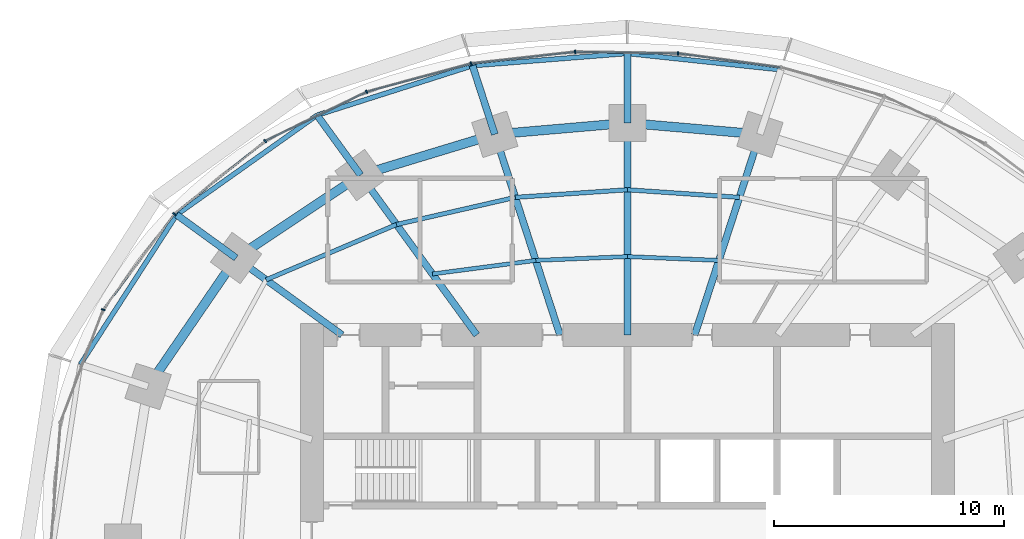
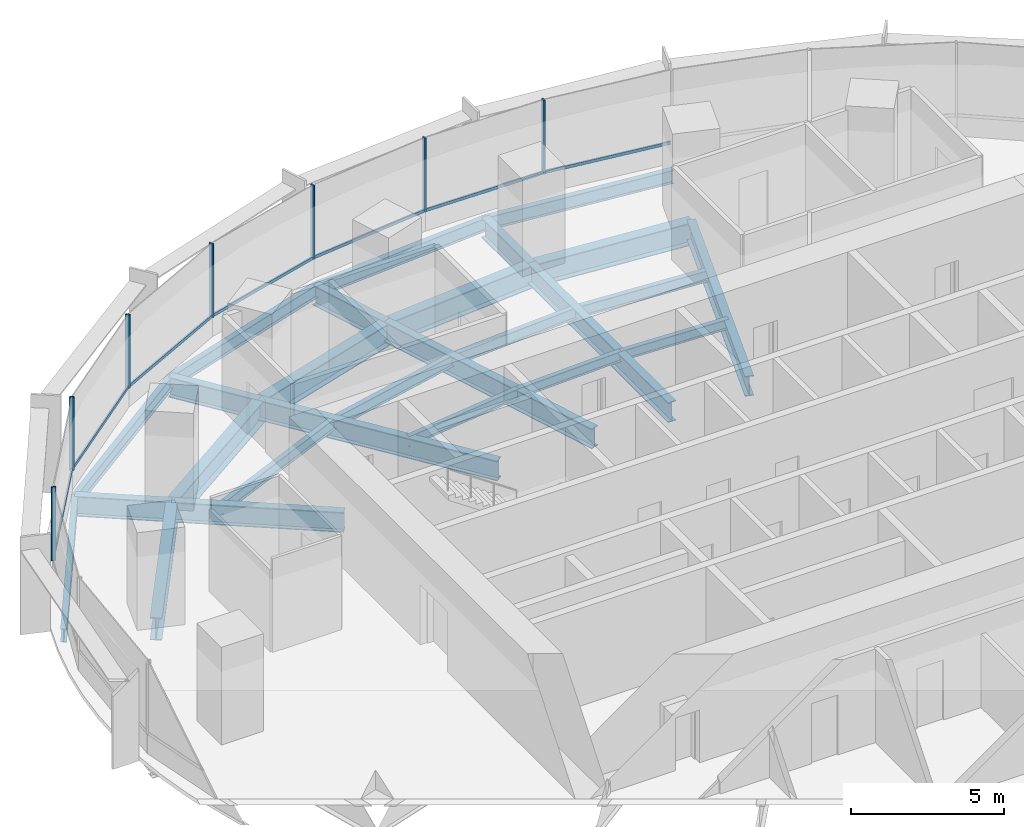
# One storey, part 7 of 14: 26 beams, 14 members, 2 elements without a shape of their own.
"""IFC4 building model written with IfcOpenShell, lengths in metres."""

from ifc_helpers import new_model, si_unit, direction, frame, origin, origin_2d, place, context, subcontext, project, spatial, rectangle, i_section, extrude, material, material_profile, profile_set, type_object, element, aggregate, save


model = new_model("IFC4")

# Units and contexts
model_context = context("Model", 3, precision=1e-05, world=origin(), true_north=direction((0.0, 1.0)))
body_context = subcontext(model_context, "Body", "Model", "MODEL_VIEW")
ifc_project = project(units=[si_unit("LENGTHUNIT", "METRE"), si_unit("AREAUNIT", "SQUARE_METRE"), si_unit("VOLUMEUNIT", "CUBIC_METRE"), si_unit("PLANEANGLEUNIT", "RADIAN"), si_unit("MASSUNIT", "GRAM", prefix="KILO")], contexts=[model_context])

# Site, building, storey
site_placement = place(None, origin())
site = spatial("IfcSite", under=ifc_project, at=site_placement, CompositionType="ELEMENT")
building_placement = place(site_placement, origin())
building = spatial("IfcBuilding", under=site, at=building_placement, Name="Marramba Exchange Tower", CompositionType="ELEMENT")
storey_placement = place(building_placement, frame((0.0, 0.0, 143.10009765625)))
storey = spatial("IfcBuildingStorey", under=building, at=storey_placement, Name="L34", CompositionType="ELEMENT", Elevation=143.10009765625)

# Beams
ifc_material_1 = material(Name="Steel AS/NZS 3679.2 grade 300", Category="steel")
ifc_material_profile_1 = material_profile(ifc_material_1, i_section(OverallWidth=0.300048828125, OverallDepth=0.800048828125, WebThickness=0.013916015625, FlangeThickness=0.031982421875, at=origin_2d()), Name="800WB192")
ifc_profile_set_1 = profile_set([ifc_material_profile_1], Name="Steel AS/NZS 3679.2 grade 300")
beam_type_1 = type_object("IfcBeamType", Name="Cantilever girder 800WB192", PredefinedType="BEAM", material=ifc_profile_set_1)
beam_1_placement = place(storey_placement, frame((0.0, 18.2041015625, -0.56005859375), z_axis=(0.0, 1.0, 0.0), x_axis=(-1.0, 0.0, 0.0)))
element("IfcBeam", 1, at=beam_1_placement, inside=storey, type_object=beam_type_1, Name="Cantilever girder L34 TC06", PredefinedType="BEAM", context=body_context, shape_type="SweptSolid", body=[
    extrude(i_section(OverallWidth=0.300048828125, OverallDepth=0.800048828125, WebThickness=0.013916015625, FlangeThickness=0.031982421875, at=origin_2d()), origin(), (0.0, 0.0, 1.0), 3.01904296875),
])
beam_2_placement = place(storey_placement, frame((-5.75390625, 17.70849609375, -0.56005859375), z_axis=(-0.309028002802, 0.95105293937, 0.0), x_axis=(-0.95105293937, -0.309028002802, 0.0)))
element("IfcBeam", 2, at=beam_2_placement, inside=storey, type_object=beam_type_1, Name="Cantilever girder L34 TC07", PredefinedType="BEAM", context=body_context, shape_type="SweptSolid", body=[
    extrude(i_section(OverallWidth=0.300048828125, OverallDepth=0.800048828125, WebThickness=0.013916015625, FlangeThickness=0.031982421875, at=origin_2d()), origin(), (0.0, 0.0, 1.0), 3.13720703125),
])
beam_3_placement = place(storey_placement, frame((-11.581298828125, 15.9404296875, -0.56005859375), z_axis=(-0.587828447158, 0.808985609706, 0.0), x_axis=(-0.808985609706, -0.587828447158, 0.0)))
element("IfcBeam", 3, at=beam_3_placement, inside=storey, type_object=beam_type_1, Name="Cantilever girder L34 TC08", PredefinedType="BEAM", context=body_context, shape_type="SweptSolid", body=[
    extrude(i_section(OverallWidth=0.300048828125, OverallDepth=0.800048828125, WebThickness=0.013916015625, FlangeThickness=0.031982421875, at=origin_2d()), origin(), (0.0, 0.0, 1.0), 3.214599609375),
])
beam_4_placement = place(storey_placement, frame((-16.98583984375, 12.3408203125, -0.56005859375), z_axis=(-0.809013857915, 0.587789569234, 0.0), x_axis=(-0.587789569234, -0.809013857915, 0.0)))
element("IfcBeam", 4, at=beam_4_placement, inside=storey, type_object=beam_type_1, Name="Cantilever girder L34 TC09", PredefinedType="BEAM", context=body_context, shape_type="SweptSolid", body=[
    extrude(i_section(OverallWidth=0.300048828125, OverallDepth=0.800048828125, WebThickness=0.013916015625, FlangeThickness=0.031982421875, at=origin_2d()), origin(), (0.0, 0.0, 1.0), 3.191650390625),
])
ifc_material_2 = material(Name="Steel AS/NZS 3679.1 grade 300", Category="steel")
ifc_material_profile_2 = material_profile(ifc_material_2, i_section(OverallWidth=0.177978515625, OverallDepth=0.406005859375, WebThickness=0.0078125, FlangeThickness=0.0126953125, FilletRadius=0.011474609375, at=origin_2d()), Name="410UB59.7")
ifc_profile_set_2 = profile_set([ifc_material_profile_2], Name="Steel AS/NZS 3679.1 grade 300")
beam_type_2 = type_object("IfcBeamType", Name="Floor joist 410UB59.7", PredefinedType="JOIST", material=ifc_profile_set_2)
for number, where, z_axis, x_axis, name in (
    (5, (3.975830078125, 12.236083984375, -0.363037109375), (-0.999137002892, 0.041536122257, 0.0), (-0.041536122257, -0.999137002892, 0.0), "Joist L34 bay 05 row 1"),
    (6, (0.0, 12.4013671875, -0.363037109375), (-0.999137002892, -0.041536122257, 0.0), (0.041536122257, -0.999137002892, 0.0), "Joist L34 bay 06 row 1"),
):
    element("IfcBeam", number, at=place(storey_placement, frame(where, z_axis=z_axis, x_axis=x_axis)), inside=storey, type_object=beam_type_2, Name=name, PredefinedType="JOIST", context=body_context, shape_type="SweptSolid", body=[
        extrude(i_section(OverallWidth=0.177978515625, OverallDepth=0.406005859375, WebThickness=0.0078125, FlangeThickness=0.0126953125, FilletRadius=0.011474609375, at=origin_2d()), origin(), (0.0, 0.0, 1.0), 3.979248046875),
    ])
beam_5_placement = place(storey_placement, frame((-3.975830078125, 12.236083984375, -0.363037109375), z_axis=(-0.991480538255, -0.130254912618, 0.0), x_axis=(0.130254912618, -0.991480538255, 0.0)))
element("IfcBeam", 7, at=beam_5_placement, inside=storey, type_object=beam_type_2, Name="Joist L34 bay 07 row 1", PredefinedType="JOIST", context=body_context, shape_type="SweptSolid", body=[
    extrude(i_section(OverallWidth=0.177978515625, OverallDepth=0.406005859375, WebThickness=0.0078125, FlangeThickness=0.0126953125, FilletRadius=0.011474609375, at=origin_2d()), origin(), (0.0, 0.0, 1.0), 4.524658203125),
])
ifc_material_profile_3 = material_profile(ifc_material_2, i_section(OverallWidth=0.18994140625, OverallDepth=0.4541015625, WebThickness=0.008544921875, FlangeThickness=0.0126953125, FilletRadius=0.011474609375, at=origin_2d()), Name="460UB67.1")
ifc_profile_set_3 = profile_set([ifc_material_profile_3], Name="Steel AS/NZS 3679.1 grade 300")
beam_type_3 = type_object("IfcBeamType", Name="Floor joist 460UB67.1", PredefinedType="JOIST", material=ifc_profile_set_3)
for number, where, z_axis, x_axis, name in (
    (8, (4.86474609375, 14.972412109375, -0.38720703125), (-0.997702652202, 0.067745241816, 0.0), (-0.067745241816, -0.997702652202, 0.0), "Joist L34 bay 05 row 2"),
    (9, (0.0, 15.302734375, -0.38720703125), (-0.997702652202, -0.067745241816, 0.0), (0.067745241816, -0.997702652202, 0.0), "Joist L34 bay 06 row 2"),
):
    element("IfcBeam", number, at=place(storey_placement, frame(where, z_axis=z_axis, x_axis=x_axis)), inside=storey, type_object=beam_type_3, Name=name, PredefinedType="JOIST", context=body_context, shape_type="SweptSolid", body=[
        extrude(i_section(OverallWidth=0.18994140625, OverallDepth=0.4541015625, WebThickness=0.008544921875, FlangeThickness=0.0126953125, FilletRadius=0.011474609375, at=origin_2d()), origin(), (0.0, 0.0, 1.0), 4.8759765625),
    ])
beam_6_placement = place(storey_placement, frame((-4.86474609375, 14.972412109375, -0.38720703125), z_axis=(-0.974859652292, -0.222819788916, 0.0), x_axis=(0.222819788916, -0.974859652292, 0.0)))
element("IfcBeam", 10, at=beam_6_placement, inside=storey, type_object=beam_type_3, Name="Joist L34 bay 07 row 2", PredefinedType="JOIST", context=body_context, shape_type="SweptSolid", body=[
    extrude(i_section(OverallWidth=0.18994140625, OverallDepth=0.4541015625, WebThickness=0.008544921875, FlangeThickness=0.0126953125, FilletRadius=0.011474609375, at=origin_2d()), origin(), (0.0, 0.0, 1.0), 5.2900390625),
])
beam_7_placement = place(storey_placement, frame((-10.021728515625, 13.793701171875, -0.38720703125), z_axis=(-0.920674336375, -0.390331610738, 0.0), x_axis=(0.390331610738, -0.920674336375, 0.0)))
element("IfcBeam", 11, at=beam_7_placement, inside=storey, type_object=beam_type_3, Name="Joist L34 bay 08 row 2", PredefinedType="JOIST", context=body_context, shape_type="SweptSolid", body=[
    extrude(i_section(OverallWidth=0.18994140625, OverallDepth=0.4541015625, WebThickness=0.008544921875, FlangeThickness=0.0126953125, FilletRadius=0.011474609375, at=origin_2d()), origin(), (0.0, 0.0, 1.0), 6.1484375),
])

# Curtain wall, members
ifc_material_3 = material(Name="Aluminium framing, bronze anodised", Category="aluminium")
curtain_wall_type = type_object("IfcCurtainWallType", Name="Office ribbon curtain wall", PredefinedType="USERDEFINED", material=ifc_material_3)
curtain_wall_1_placement = place(storey_placement, origin())
curtain_wall_1 = element("IfcCurtainWall", 12, at=curtain_wall_1_placement, inside=storey, type_object=curtain_wall_type, Name="Curtain wall CW4 L34 F06-F10", ObjectType="RIBBON CURTAIN WALL", PredefinedType="USERDEFINED")
ifc_material_4 = material(Name="Aluminium mullion, bronze anodised", Category="aluminium")
ifc_material_profile_4 = material_profile(ifc_material_4, rectangle(XDim=0.159912109375, YDim=0.06005859375, at=origin_2d()), Name="CW4 mullion 60x160")
ifc_profile_set_4 = profile_set([ifc_material_profile_4], Name="Aluminium mullion, bronze anodised")
member_type_1 = type_object("IfcMemberType", Name="Office ribbon curtain wall mullion", PredefinedType="MULLION", material=ifc_profile_set_4)
member_1_placement = place(storey_placement, frame((2.200439453125, 21.2216796875, 0.7998046875), z_axis=(0.0, 0.0, 1.0), x_axis=(-0.01575578169, -0.999875869968, 0.0)))
member_1 = element("IfcMember", 13, at=member_1_placement, type_object=member_type_1, Name="CW4 mullion 1", PredefinedType="MULLION", context=body_context, shape_type="SweptSolid", body=[
    extrude(rectangle(XDim=0.159912109375, YDim=0.06005859375, at=origin_2d()), origin(), (0.0, 0.0, 1.0), 2.940185546875),
])
member_2_placement = place(storey_placement, frame((-2.267578125, 21.288330078125, 0.7998046875), z_axis=(0.0, 0.0, 1.0), x_axis=(0.110973233233, -0.993823395532, 0.0)))
member_2 = element("IfcMember", 14, at=member_2_placement, type_object=member_type_1, Name="CW4 mullion 1", PredefinedType="MULLION", context=body_context, shape_type="SweptSolid", body=[
    extrude(rectangle(XDim=0.159912109375, YDim=0.06005859375, at=origin_2d()), origin(), (0.0, 0.0, 1.0), 2.940185546875),
])
member_3_placement = place(storey_placement, frame((-6.783203125, 20.779541015625, 0.7998046875), z_axis=(0.0, 0.0, 1.0), x_axis=(0.260321294588, -0.965522047176, 0.0)))
member_3 = element("IfcMember", 15, at=member_3_placement, type_object=member_type_1, Name="CW4 mullion 1", PredefinedType="MULLION", context=body_context, shape_type="SweptSolid", body=[
    extrude(rectangle(XDim=0.159912109375, YDim=0.06005859375, at=origin_2d()), origin(), (0.0, 0.0, 1.0), 2.940185546875),
])

curtain_wall_2_placement = place(storey_placement, origin())
curtain_wall_2 = element("IfcCurtainWall", 16, at=curtain_wall_2_placement, inside=storey, type_object=curtain_wall_type, Name="Curtain wall CW4 L34 F11-F15", ObjectType="RIBBON CURTAIN WALL", PredefinedType="USERDEFINED")
member_4_placement = place(storey_placement, frame((-11.32177734375, 19.550048828125, 0.7998046875), z_axis=(0.0, 0.0, 1.0), x_axis=(0.435427626771, -0.900223739881, 0.0)))
member_4 = element("IfcMember", 17, at=member_4_placement, type_object=member_type_1, Name="CW4 mullion 1", PredefinedType="MULLION", context=body_context, shape_type="SweptSolid", body=[
    extrude(rectangle(XDim=0.159912109375, YDim=0.06005859375, at=origin_2d()), origin(), (0.0, 0.0, 1.0), 2.940185546875),
])
member_5_placement = place(storey_placement, frame((-15.720703125, 17.414794921875, 0.7998046875), z_axis=(0.0, 0.0, 1.0), x_axis=(0.624307950145, -0.78117833008, 0.0)))
member_5 = element("IfcMember", 18, at=member_5_placement, type_object=member_type_1, Name="CW4 mullion 1", PredefinedType="MULLION", context=body_context, shape_type="SweptSolid", body=[
    extrude(rectangle(XDim=0.159912109375, YDim=0.06005859375, at=origin_2d()), origin(), (0.0, 0.0, 1.0), 2.940185546875),
])
member_6_placement = place(storey_placement, frame((-19.666748046875, 14.251708984375, 0.7998046875), z_axis=(0.0, 0.0, 1.0), x_axis=(0.80171686484, -0.597703997504, 0.0)))
member_6 = element("IfcMember", 19, at=member_6_placement, type_object=member_type_1, Name="CW4 mullion 1", PredefinedType="MULLION", context=body_context, shape_type="SweptSolid", body=[
    extrude(rectangle(XDim=0.159912109375, YDim=0.06005859375, at=origin_2d()), origin(), (0.0, 0.0, 1.0), 2.940185546875),
])
member_7_placement = place(storey_placement, frame((-22.75341796875, 10.09765625, 0.7998046875), z_axis=(0.0, 0.0, 1.0), x_axis=(0.934925346317, -0.354844468484, 0.0)))
member_7 = element("IfcMember", 20, at=member_7_placement, type_object=member_type_1, Name="CW4 mullion 1", PredefinedType="MULLION", context=body_context, shape_type="SweptSolid", body=[
    extrude(rectangle(XDim=0.159912109375, YDim=0.06005859375, at=origin_2d()), origin(), (0.0, 0.0, 1.0), 2.940185546875),
])

# Member
ifc_material_5 = material(Name="Aluminium transom, bronze anodised", Category="aluminium")
ifc_material_profile_5 = material_profile(ifc_material_5, rectangle(XDim=0.06005859375, YDim=0.1201171875, at=origin_2d()), Name="CW4 transom 60x120")
ifc_profile_set_5 = profile_set([ifc_material_profile_5], Name="Aluminium transom, bronze anodised")
member_type_2 = type_object("IfcMemberType", Name="Office ribbon curtain wall transom", PredefinedType="USERDEFINED", material=ifc_profile_set_5)
member_8_placement = place(storey_placement, frame((6.636962890625, 20.6171875, 0.829833984375), z_axis=(-0.990736067897, 0.135801486619, 0.0), x_axis=(-0.135801486619, -0.990736067897, 0.0)))
member_8 = element("IfcMember", 21, at=member_8_placement, type_object=member_type_2, Name="CW4 sill transom", ObjectType="TRANSOM", PredefinedType="USERDEFINED", context=body_context, shape_type="SweptSolid", body=[
    extrude(rectangle(XDim=0.06005859375, YDim=0.1201171875, at=origin_2d()), origin(), (0.0, 0.0, 1.0), 4.44775390625),
])

member_9_placement = place(storey_placement, frame((2.17041015625, 21.22216796875, 0.829833984375), z_axis=(-0.999875452363, 0.015782260962, 0.0), x_axis=(-0.015782260962, -0.999875452363, 0.0)))
member_9 = element("IfcMember", 22, at=member_9_placement, type_object=member_type_2, Name="CW4 sill transom", ObjectType="TRANSOM", PredefinedType="USERDEFINED", context=body_context, shape_type="SweptSolid", body=[
    extrude(rectangle(XDim=0.06005859375, YDim=0.1201171875, at=origin_2d()), origin(), (0.0, 0.0, 1.0), 4.40869140625),
])

member_10_placement = place(storey_placement, frame((-2.29736328125, 21.284912109375, 0.829833984375), z_axis=(-0.993825837835, -0.110951358943, 0.0), x_axis=(0.110951358943, -0.993825837835, 0.0)))
member_10 = element("IfcMember", 23, at=member_10_placement, type_object=member_type_2, Name="CW4 sill transom", ObjectType="TRANSOM", PredefinedType="USERDEFINED", context=body_context, shape_type="SweptSolid", body=[
    extrude(rectangle(XDim=0.06005859375, YDim=0.1201171875, at=origin_2d()), origin(), (0.0, 0.0, 1.0), 4.484375),
])

member_11_placement = place(storey_placement, frame((-6.812255859375, 20.771728515625, 0.829833984375), z_axis=(-0.965511085148, -0.260361948942, 0.0), x_axis=(0.260361948942, -0.965511085148, 0.0)))
member_11 = element("IfcMember", 24, at=member_11_placement, type_object=member_type_2, Name="CW4 sill transom", ObjectType="TRANSOM", PredefinedType="USERDEFINED", context=body_context, shape_type="SweptSolid", body=[
    extrude(rectangle(XDim=0.06005859375, YDim=0.1201171875, at=origin_2d()), origin(), (0.0, 0.0, 1.0), 4.642578125),
])

aggregate(curtain_wall_1, [member_8, member_1, member_9, member_2, member_10, member_3, member_11])

member_12_placement = place(storey_placement, frame((-11.348876953125, 19.536865234375, 0.829833984375), z_axis=(-0.900223166385, -0.435428812442, 0.0), x_axis=(0.435428812442, -0.900223166385, 0.0)))
member_12 = element("IfcMember", 25, at=member_12_placement, type_object=member_type_2, Name="CW4 sill transom", ObjectType="TRANSOM", PredefinedType="USERDEFINED", context=body_context, shape_type="SweptSolid", body=[
    extrude(rectangle(XDim=0.06005859375, YDim=0.1201171875, at=origin_2d()), origin(), (0.0, 0.0, 1.0), 4.830322265625),
])

member_13_placement = place(storey_placement, frame((-15.744140625, 17.396240234375, 0.829833984375), z_axis=(-0.781164169531, -0.624325668414, 0.0), x_axis=(0.624325668414, -0.781164169531, 0.0)))
member_13 = element("IfcMember", 26, at=member_13_placement, type_object=member_type_2, Name="CW4 sill transom", ObjectType="TRANSOM", PredefinedType="USERDEFINED", context=body_context, shape_type="SweptSolid", body=[
    extrude(rectangle(XDim=0.06005859375, YDim=0.1201171875, at=origin_2d()), origin(), (0.0, 0.0, 1.0), 4.998291015625),
])

member_14_placement = place(storey_placement, frame((-19.6845703125, 14.2275390625, 0.829833984375), z_axis=(-0.597714731658, -0.801708862093, 0.0), x_axis=(0.801708862093, -0.597714731658, 0.0)))
member_14 = element("IfcMember", 27, at=member_14_placement, type_object=member_type_2, Name="CW4 sill transom", ObjectType="TRANSOM", PredefinedType="USERDEFINED", context=body_context, shape_type="SweptSolid", body=[
    extrude(rectangle(XDim=0.06005859375, YDim=0.1201171875, at=origin_2d()), origin(), (0.0, 0.0, 1.0), 5.1162109375),
])

aggregate(curtain_wall_2, [member_4, member_12, member_5, member_13, member_6, member_14, member_7])

# Beams
ifc_material_profile_6 = material_profile(ifc_material_1, i_section(OverallWidth=0.300048828125, OverallDepth=0.800048828125, WebThickness=0.013916015625, FlangeThickness=0.031982421875, at=origin_2d()), Name="800WB192")
ifc_profile_set_6 = profile_set([ifc_material_profile_6], Name="Steel AS/NZS 3679.2 grade 300")
beam_type_4 = type_object("IfcBeamType", Name="Radial girder 800WB192", PredefinedType="BEAM", material=ifc_profile_set_6)
beam_8_placement = place(storey_placement, frame((2.92431640625, 9.0, -0.56005859375), z_axis=(0.309019754162, 0.951055619582, 0.0), x_axis=(-0.951055619582, 0.309019754162, 0.0)))
element("IfcBeam", 28, at=beam_8_placement, inside=storey, type_object=beam_type_4, Name="Radial girder L34 TC05", PredefinedType="BEAM", context=body_context, shape_type="SweptSolid", body=[
    extrude(i_section(OverallWidth=0.300048828125, OverallDepth=0.800048828125, WebThickness=0.013916015625, FlangeThickness=0.031982421875, at=origin_2d()), origin(), (0.0, 0.0, 1.0), 9.15673828125),
])
beam_9_placement = place(storey_placement, frame((0.0, 9.0, -0.56005859375), z_axis=(0.0, 1.0, 0.0), x_axis=(-1.0, 0.0, 0.0)))
element("IfcBeam", 29, at=beam_9_placement, inside=storey, type_object=beam_type_4, Name="Radial girder L34 TC06", PredefinedType="BEAM", context=body_context, shape_type="SweptSolid", body=[
    extrude(i_section(OverallWidth=0.300048828125, OverallDepth=0.800048828125, WebThickness=0.013916015625, FlangeThickness=0.031982421875, at=origin_2d()), origin(), (0.0, 0.0, 1.0), 9.2041015625),
])
beam_10_placement = place(storey_placement, frame((-2.92431640625, 9.0, -0.56005859375), z_axis=(-0.309019754162, 0.951055619582, 0.0), x_axis=(-0.951055619582, -0.309019754162, 0.0)))
element("IfcBeam", 30, at=beam_10_placement, inside=storey, type_object=beam_type_4, Name="Radial girder L34 TC07", PredefinedType="BEAM", context=body_context, shape_type="SweptSolid", body=[
    extrude(i_section(OverallWidth=0.300048828125, OverallDepth=0.800048828125, WebThickness=0.013916015625, FlangeThickness=0.031982421875, at=origin_2d()), origin(), (0.0, 0.0, 1.0), 9.15673828125),
])
beam_11_placement = place(storey_placement, frame((-6.538818359375, 9.0, -0.56005859375), z_axis=(-0.587782439969, 0.80901903764, 0.0), x_axis=(-0.80901903764, -0.587782439969, 0.0)))
element("IfcBeam", 31, at=beam_11_placement, inside=storey, type_object=beam_type_4, Name="Radial girder L34 TC08", PredefinedType="BEAM", context=body_context, shape_type="SweptSolid", body=[
    extrude(i_section(OverallWidth=0.300048828125, OverallDepth=0.800048828125, WebThickness=0.013916015625, FlangeThickness=0.031982421875, at=origin_2d()), origin(), (0.0, 0.0, 1.0), 8.578857421875),
])
beam_12_placement = place(storey_placement, frame((-12.387451171875, 9.0, -0.56005859375), z_axis=(-0.809025746925, 0.587773205252, 0.0), x_axis=(-0.587773205252, -0.809025746925, 0.0)))
element("IfcBeam", 32, at=beam_12_placement, inside=storey, type_object=beam_type_4, Name="Radial girder L34 TC09", PredefinedType="BEAM", context=body_context, shape_type="SweptSolid", body=[
    extrude(i_section(OverallWidth=0.300048828125, OverallDepth=0.800048828125, WebThickness=0.013916015625, FlangeThickness=0.031982421875, at=origin_2d()), origin(), (0.0, 0.0, 1.0), 5.683837890625),
])
ifc_material_profile_7 = material_profile(ifc_material_1, i_section(OverallWidth=0.39990234375, OverallDepth=0.89990234375, WebThickness=0.01611328125, FlangeThickness=0.031982421875, at=origin_2d()), Name="900WB282")
ifc_profile_set_7 = profile_set([ifc_material_profile_7], Name="Steel AS/NZS 3679.2 grade 300")
beam_type_5 = type_object("IfcBeamType", Name="Ring beam 900WB282", PredefinedType="SPANDREL", material=ifc_profile_set_7)
for number, where, z_axis, x_axis, name in (
    (33, (5.75390625, 17.70849609375, -0.610107421875), (-0.996311003275, 0.085815993578, 0.0), (-0.085815993578, -0.996311003275, 0.0), "Ring beam L34 TC05-TC06"),
    (34, (0.0, 18.2041015625, -0.610107421875), (-0.996311003275, -0.085815993578, 0.0), (0.085815993578, -0.996311003275, 0.0), "Ring beam L34 TC06-TC07"),
):
    element("IfcBeam", number, at=place(storey_placement, frame(where, z_axis=z_axis, x_axis=x_axis)), inside=storey, type_object=beam_type_5, Name=name, PredefinedType="SPANDREL", context=body_context, shape_type="SweptSolid", body=[
        extrude(i_section(OverallWidth=0.39990234375, OverallDepth=0.89990234375, WebThickness=0.01611328125, FlangeThickness=0.031982421875, at=origin_2d()), origin(), (0.0, 0.0, 1.0), 5.775146484375),
    ])
beam_13_placement = place(storey_placement, frame((-5.75390625, 17.70849609375, -0.610107421875), z_axis=(-0.956924542524, -0.290336735387, 0.0), x_axis=(0.290336735387, -0.956924542524, 0.0)))
element("IfcBeam", 35, at=beam_13_placement, inside=storey, type_object=beam_type_5, Name="Ring beam L34 TC07-TC08", PredefinedType="SPANDREL", context=body_context, shape_type="SweptSolid", body=[
    extrude(i_section(OverallWidth=0.39990234375, OverallDepth=0.89990234375, WebThickness=0.01611328125, FlangeThickness=0.031982421875, at=origin_2d()), origin(), (0.0, 0.0, 1.0), 6.089599609375),
])
beam_14_placement = place(storey_placement, frame((-11.581298828125, 15.9404296875, -0.610107421875), z_axis=(-0.832293151443, -0.554335737673, 0.0), x_axis=(0.554335737673, -0.832293151443, 0.0)))
element("IfcBeam", 36, at=beam_14_placement, inside=storey, type_object=beam_type_5, Name="Ring beam L34 TC08-TC09", PredefinedType="SPANDREL", context=body_context, shape_type="SweptSolid", body=[
    extrude(i_section(OverallWidth=0.39990234375, OverallDepth=0.89990234375, WebThickness=0.01611328125, FlangeThickness=0.031982421875, at=origin_2d()), origin(), (0.0, 0.0, 1.0), 6.49365234375),
])
beam_15_placement = place(storey_placement, frame((-16.98583984375, 12.3408203125, -0.610107421875), z_axis=(-0.56516002054, -0.824981303535, 0.0), x_axis=(0.824981303535, -0.56516002054, 0.0)))
element("IfcBeam", 37, at=beam_15_placement, inside=storey, type_object=beam_type_5, Name="Ring beam L34 TC09-TC10", PredefinedType="SPANDREL", context=body_context, shape_type="SweptSolid", body=[
    extrude(i_section(OverallWidth=0.39990234375, OverallDepth=0.89990234375, WebThickness=0.01611328125, FlangeThickness=0.031982421875, at=origin_2d()), origin(), (0.0, 0.0, 1.0), 6.763671875),
])
ifc_material_profile_8 = material_profile(ifc_material_2, i_section(OverallWidth=0.208984375, OverallDepth=0.528076171875, WebThickness=0.009521484375, FlangeThickness=0.01318359375, FilletRadius=0.013916015625, at=origin_2d()), Name="530UB82.0")
ifc_profile_set_8 = profile_set([ifc_material_profile_8], Name="Steel AS/NZS 3679.1 grade 300")
beam_type_6 = type_object("IfcBeamType", Name="Slab edge beam 530UB82.0", PredefinedType="SPANDREL", material=ifc_profile_set_8)
beam_16_placement = place(storey_placement, frame((6.66552734375, 20.51416015625, -0.424072265625), z_axis=(-0.994390706415, 0.105769196815, 0.0), x_axis=(-0.105769196815, -0.994390706415, 0.0)))
element("IfcBeam", 38, at=beam_16_placement, inside=storey, type_object=beam_type_6, Name="Slab edge beam L34 TC05-TC06", PredefinedType="SPANDREL", context=body_context, shape_type="SweptSolid", body=[
    extrude(i_section(OverallWidth=0.208984375, OverallDepth=0.528076171875, WebThickness=0.009521484375, FlangeThickness=0.01318359375, FilletRadius=0.013916015625, at=origin_2d()), origin(), (0.0, 0.0, 1.0), 6.703125),
])
beam_17_placement = place(storey_placement, frame((0.0, 21.22314453125, -0.424072265625), z_axis=(-0.996895681721, -0.078733726996, 0.0), x_axis=(0.078733726996, -0.996895681721, 0.0)))
element("IfcBeam", 39, at=beam_17_placement, inside=storey, type_object=beam_type_6, Name="Slab edge beam L34 TC06-TC07", PredefinedType="SPANDREL", context=body_context, shape_type="SweptSolid", body=[
    extrude(i_section(OverallWidth=0.208984375, OverallDepth=0.528076171875, WebThickness=0.009521484375, FlangeThickness=0.01318359375, FilletRadius=0.013916015625, at=origin_2d()), origin(), (0.0, 0.0, 1.0), 6.744384765625),
])
beam_18_placement = place(storey_placement, frame((-6.723388671875, 20.692138671875, -0.424072265625), z_axis=(-0.952755400854, -0.303738614839, 0.0), x_axis=(0.303738614839, -0.952755400854, 0.0)))
element("IfcBeam", 40, at=beam_18_placement, inside=storey, type_object=beam_type_6, Name="Slab edge beam L34 TC07-TC08", PredefinedType="SPANDREL", context=body_context, shape_type="SweptSolid", body=[
    extrude(i_section(OverallWidth=0.208984375, OverallDepth=0.528076171875, WebThickness=0.009521484375, FlangeThickness=0.01318359375, FilletRadius=0.013916015625, at=origin_2d()), origin(), (0.0, 0.0, 1.0), 7.08203125),
])
beam_19_placement = place(storey_placement, frame((-13.470947265625, 18.541015625, -0.424072265625), z_axis=(-0.815673202412, -0.578512944425, 0.0), x_axis=(0.578512944425, -0.815673202412, 0.0)))
element("IfcBeam", 41, at=beam_19_placement, inside=storey, type_object=beam_type_6, Name="Slab edge beam L34 TC08-TC09", PredefinedType="SPANDREL", context=body_context, shape_type="SweptSolid", body=[
    extrude(i_section(OverallWidth=0.208984375, OverallDepth=0.528076171875, WebThickness=0.009521484375, FlangeThickness=0.01318359375, FilletRadius=0.013916015625, at=origin_2d()), origin(), (0.0, 0.0, 1.0), 7.474609375),
])
beam_20_placement = place(storey_placement, frame((-19.56787109375, 14.216796875, -0.424072265625), z_axis=(-0.541060886597, -0.840983422544, 0.0), x_axis=(0.840983422544, -0.541060886597, 0.0)))
element("IfcBeam", 42, at=beam_20_placement, inside=storey, type_object=beam_type_6, Name="Slab edge beam L34 TC09-TC10", PredefinedType="SPANDREL", context=body_context, shape_type="SweptSolid", body=[
    extrude(i_section(OverallWidth=0.208984375, OverallDepth=0.528076171875, WebThickness=0.009521484375, FlangeThickness=0.01318359375, FilletRadius=0.013916015625, at=origin_2d()), origin(), (0.0, 0.0, 1.0), 7.72900390625),
])

save(model, "model.ifc")
